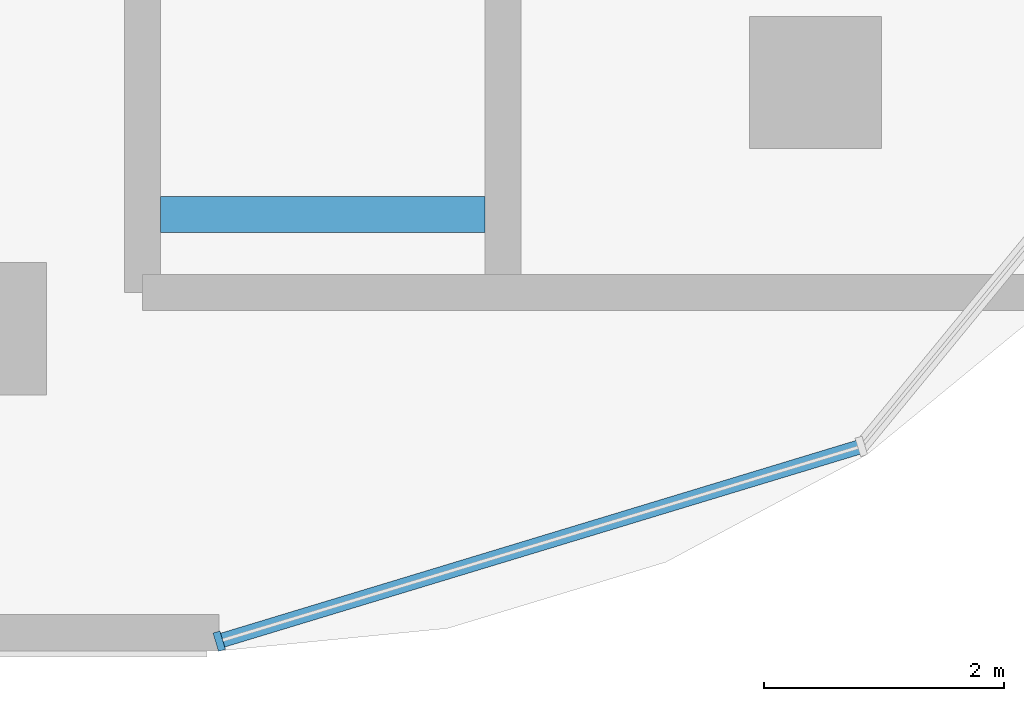
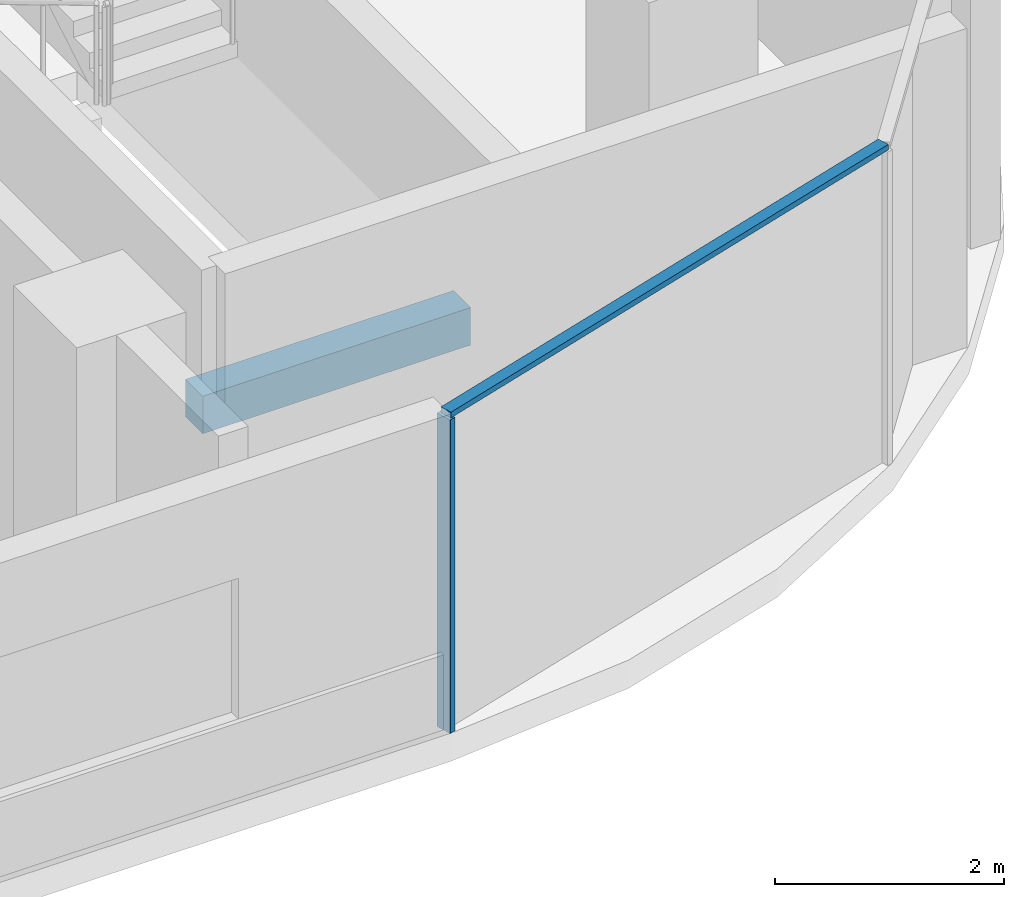
# One storey, part 3 of 23: 2 members, 1 beam, 1 element without a shape of its own.
"""IFC4 building model written with IfcOpenShell, lengths in metres."""

import ifcopenshell
import ifcopenshell.guid

model = None  # the IFC model being written
_history = None  # IfcOwnerHistory: only IFC2X3 demands one
_inside = {}  # id of a spatial element -> (the spatial element, [elements in it])
_under = {}  # id of a project, library or spatial element -> (it, [spatial elements below it])
_declared = {}  # id of a project -> (the project, [libraries it declares])
_typed = {}  # id of a type object -> (the type object, [elements of that type])
_made_of = {}  # id of a material, layer set ... -> (it, [elements and type objects made of it])


def new_model(schema):
    """Start an empty IFC model of exactly this schema.

    Asked for "IFC4X3", IfcOpenShell would pick the latest addendum, in which some entities
    have other attributes; the version numbers below select the first issue.
    IFC2X3 requires an IfcOwnerHistory on every rooted entity: one is made here for all.
    """
    global model, _history
    if schema == "IFC4X3":
        model = ifcopenshell.file(schema_version=(4, 3, 0, 0))
    else:
        model = ifcopenshell.file(schema=schema)
    _inside.clear()
    _under.clear()
    _declared.clear()
    _typed.clear()
    _made_of.clear()
    _history = None
    if model.schema == "IFC2X3":
        org = make("IfcOrganization", Name="unknown")
        user = make(
            "IfcPersonAndOrganization",
            ThePerson=make("IfcPerson", FamilyName="unknown"),
            TheOrganization=org,
        )
        app = make(
            "IfcApplication",
            ApplicationDeveloper=org,
            Version="unknown",
            ApplicationFullName="unknown",
            ApplicationIdentifier="unknown",
        )
        _history = make(
            "IfcOwnerHistory",
            OwningUser=user,
            OwningApplication=app,
            ChangeAction="ADDED",
            CreationDate=0,
        )
    return model


def make(cls, **values):
    """One entity of the class cls with the attributes given. An attribute that is None is left unset."""
    return model.create_entity(
        cls, **{name: value for name, value in values.items() if value is not None}
    )


def rooted(cls, **values):
    """An entity with a GlobalId (a new one), such as an element, a storey or a relation."""
    return make(cls, GlobalId=ifcopenshell.guid.new(), OwnerHistory=_history, **values)


def si_unit(unit_type, name, prefix=None):
    """IfcSIUnit, for example si_unit("LENGTHUNIT", "METRE", prefix="MILLI")."""
    return make("IfcSIUnit", UnitType=unit_type, Prefix=prefix, Name=name)


def assignment(units):
    """IfcUnitAssignment: the units of a project."""
    return None if units is None else make("IfcUnitAssignment", Units=units)


def point(xyz):
    """IfcCartesianPoint."""
    return None if xyz is None else make("IfcCartesianPoint", Coordinates=xyz)


def direction(xyz):
    """IfcDirection."""
    return None if xyz is None else make("IfcDirection", DirectionRatios=xyz)


def frame(location, z_axis=None, x_axis=None):
    """IfcAxis2Placement3D, a coordinate frame: its origin and axes. An axis left out is left unset."""
    return make(
        "IfcAxis2Placement3D",
        Location=point(location),
        Axis=direction(z_axis),
        RefDirection=direction(x_axis),
    )


def frame_2d(location, x_axis=None):
    """IfcAxis2Placement2D, a coordinate frame in the plane: its origin and x axis."""
    return make(
        "IfcAxis2Placement2D", Location=point(location), RefDirection=direction(x_axis)
    )


def origin():
    """The frame at (0, 0, 0) with its axes left unset."""
    return frame((0.0, 0.0, 0.0))


def origin_2d():
    """The frame at (0, 0) in the plane with its x axis left unset."""
    return frame_2d((0.0, 0.0))


def place(relative_to, where):
    """IfcLocalPlacement: puts the frame where relative to a parent placement (None: the world)."""
    return make(
        "IfcLocalPlacement", PlacementRelTo=relative_to, RelativePlacement=where
    )


def context(
    kind, dimensions, precision=None, world=None, true_north=None, identifier=None
):
    """IfcGeometricRepresentationContext, for example the 3D "Model" context."""
    return make(
        "IfcGeometricRepresentationContext",
        ContextIdentifier=identifier,
        ContextType=kind,
        CoordinateSpaceDimension=dimensions,
        Precision=precision,
        WorldCoordinateSystem=world,
        TrueNorth=true_north,
    )


def subcontext(parent, identifier, kind, view, scale=None):
    """IfcGeometricRepresentationSubContext, for example "Body" below "Model"."""
    return make(
        "IfcGeometricRepresentationSubContext",
        ContextIdentifier=identifier,
        ContextType=kind,
        ParentContext=parent,
        TargetScale=scale,
        TargetView=view,
    )


def project(units=None, contexts=None):
    """IfcProject with its units and contexts."""
    return rooted(
        "IfcProject",
        Name="project",
        RepresentationContexts=contexts,
        UnitsInContext=assignment(units),
    )


def spatial(cls, under=None, at=None, **own):
    """A site, building, storey or space (cls), placed at a placement, below another one or the project."""
    s = rooted(cls, ObjectPlacement=at, **own)
    if under is not None:
        _under.setdefault(under.id(), (under, []))[1].append(s)
    return s


def profile(cls, at=None, kind="AREA", **sizes):
    """A parametric profile (cls). Its sizes go by their IFC names, for example OverallWidth=200.0."""
    return make(cls, ProfileType=kind, Position=at, **sizes)


def rectangle(**sizes):
    """IfcRectangleProfileDef."""
    return profile("IfcRectangleProfileDef", **sizes)


def extrude(swept, where, along, depth):
    """IfcExtrudedAreaSolid: the profile swept, set in the frame where, extruded along a direction by depth."""
    return make(
        "IfcExtrudedAreaSolid",
        SweptArea=swept,
        Position=where,
        ExtrudedDirection=direction(along),
        Depth=depth,
    )


def shape(context_of_items, identifier, shape_type, items):
    """IfcShapeRepresentation: the items that make up one representation, for example the "Body"."""
    return make(
        "IfcShapeRepresentation",
        ContextOfItems=context_of_items,
        RepresentationIdentifier=identifier,
        RepresentationType=shape_type,
        Items=items,
    )


def material(Name=None, Category=None):
    """IfcMaterial."""
    return make("IfcMaterial", Name=Name, Category=Category)


def material_profile(
    of_material, cross_section, Name=None, Category=None, Priority=None
):
    """IfcMaterialProfile: a cross section and its material."""
    return make(
        "IfcMaterialProfile",
        Name=Name,
        Material=of_material,
        Profile=cross_section,
        Priority=Priority,
        Category=Category,
    )


def profile_set(profiles, Name=None, composite=None):
    """IfcMaterialProfileSet."""
    return make(
        "IfcMaterialProfileSet",
        Name=Name,
        MaterialProfiles=profiles,
        CompositeProfile=composite,
    )


def made_of(thing, what):
    """Note that an element or type object is made of a material, layer set ...; save() writes the relation."""
    if what is not None:
        _made_of.setdefault(what.id(), (what, []))[1].append(thing)
    return thing


def type_object(cls, material=None, **own):
    """A type object (cls), such as IfcWallType, which elements share."""
    return made_of(rooted(cls, **own), material)


def element(
    cls,
    number,
    at=None,
    inside=None,
    cuts=None,
    type_object=None,
    material=None,
    context=None,
    identifier="Body",
    shape_type=None,
    held_by="IfcProductDefinitionShape",
    body=None,
    shapes=None,
    **own,
):
    """One element of the class cls, such as IfcWall. Its Tag is "e" and its number.

    at: its placement. inside: the storey or other place that contains it. cuts: it is an
    opening in that element (IfcRelVoidsElement). A single representation is given by context,
    identifier, shape_type and body (its items); several are given by shapes. held_by: the class
    of the entity that holds the representations. save() writes the other relations.
    """
    e = rooted(cls, Tag="e%d" % number, ObjectPlacement=at, **own)
    if body is not None:
        shapes = [shape(context, identifier, shape_type, body)]
    if shapes is not None:
        e.Representation = make(held_by, Representations=shapes)
    if inside is not None:
        _inside.setdefault(inside.id(), (inside, []))[1].append(e)
    if cuts is not None:
        rooted(
            "IfcRelVoidsElement", RelatingBuildingElement=cuts, RelatedOpeningElement=e
        )
    if type_object is not None:
        _typed.setdefault(type_object.id(), (type_object, []))[1].append(e)
    return made_of(e, material)


def aggregate(whole, parts):
    """IfcRelAggregates: a whole, such as a stair, and the parts it consists of."""
    return rooted("IfcRelAggregates", RelatingObject=whole, RelatedObjects=parts)


def save(model, path):
    """Write the relations noted so far, then the file.

    IfcRelAggregates (storeys below a building ...), IfcRelContainedInSpatialStructure (elements
    in a storey), IfcRelDefinesByType, IfcRelAssociatesMaterial and IfcRelDeclares: one each for
    every whole, place, type object, material and project.
    """
    for whole, parts in _under.values():
        aggregate(whole, parts)
    for where, things in _inside.values():
        rooted(
            "IfcRelContainedInSpatialStructure",
            RelatedElements=things,
            RelatingStructure=where,
        )
    for kind, things in _typed.values():
        rooted("IfcRelDefinesByType", RelatedObjects=things, RelatingType=kind)
    for what, things in _made_of.values():
        rooted("IfcRelAssociatesMaterial", RelatedObjects=things, RelatingMaterial=what)
    for by, libraries in _declared.values():
        rooted("IfcRelDeclares", RelatingContext=by, RelatedDefinitions=libraries)
    model.write(path)


model = new_model("IFC4")

# Units and contexts
model_context = context("Model", 3, precision=1e-05, world=origin(), true_north=direction((0.0, 1.0)))
body_context = subcontext(model_context, "Body", "Model", "MODEL_VIEW")
ifc_project = project(units=[si_unit("LENGTHUNIT", "METRE"), si_unit("AREAUNIT", "SQUARE_METRE"), si_unit("VOLUMEUNIT", "CUBIC_METRE"), si_unit("PLANEANGLEUNIT", "RADIAN"), si_unit("MASSUNIT", "GRAM", prefix="KILO")], contexts=[model_context])

# Site, building, storey
site_placement = place(None, origin())
site = spatial("IfcSite", under=ifc_project, at=site_placement, CompositionType="ELEMENT")
building_placement = place(site_placement, origin())
building = spatial("IfcBuilding", under=site, at=building_placement, Name="Ogive Portal Towers", CompositionType="ELEMENT")
storey_placement = place(building_placement, frame((0.0, 0.0, 186.60009765625)))
storey = spatial("IfcBuildingStorey", under=building, at=storey_placement, Name="L46", CompositionType="ELEMENT", Elevation=186.60009765625)

# Beam
ifc_material_1 = material(Name="Concrete C40/50", Category="concrete")
ifc_material_profile_1 = material_profile(ifc_material_1, rectangle(XDim=0.300048828125, YDim=0.39990234375, at=origin_2d()), Name="RC 300x400")
ifc_profile_set_1 = profile_set([ifc_material_profile_1], Name="Concrete C40/50")
beam_type = type_object("IfcBeamType", Name="BEAM RC 300x400", PredefinedType="BEAM", material=ifc_profile_set_1)
beam_placement = place(storey_placement, frame((87.0, 22.449951171875, 1.449951171875), z_axis=(1.0, 0.0, 0.0), x_axis=(0.0, 1.0, 0.0)))
element("IfcBeam", 1, at=beam_placement, inside=storey, type_object=beam_type, Name="Landing beam L46", PredefinedType="BEAM", context=body_context, shape_type="SweptSolid", body=[
    extrude(rectangle(XDim=0.300048828125, YDim=0.39990234375, at=origin_2d()), origin(), (0.0, 0.0, 1.0), 2.699951171875),
])

# Curtain wall, members
ifc_material_2 = material(Name="Glass, clear low-iron insulated glazing", Category="glass")
curtain_wall_type = type_object("IfcCurtainWallType", Name="CW FRONT RIBBON 4500", PredefinedType="NOTDEFINED", material=ifc_material_2)
curtain_wall_placement = place(storey_placement, origin())
curtain_wall = element("IfcCurtainWall", 2, at=curtain_wall_placement, inside=storey, type_object=curtain_wall_type, Name="A:L46:f09:cwa", PredefinedType="NOTDEFINED")
ifc_material_3 = material(Name="Aluminium 6063 anodised", Category="aluminium")
ifc_material_profile_2 = material_profile(ifc_material_3, rectangle(XDim=0.159912109375, YDim=0.06005859375, at=origin_2d()), Name="AL 60x160")
ifc_profile_set_2 = profile_set([ifc_material_profile_2], Name="Aluminium 6063 anodised")
member_type_1 = type_object("IfcMemberType", Name="CW MULLION 60x160", PredefinedType="MULLION", material=ifc_profile_set_2)
member_1_placement = place(storey_placement, frame((87.488037109375, 18.89990234375, 0.0), z_axis=(0.0, 0.0, 1.0), x_axis=(-0.290284677254, 0.956940335732, 0.0)))
member_1 = element("IfcMember", 3, at=member_1_placement, type_object=member_type_1, Name="mullion", PredefinedType="MULLION", context=body_context, shape_type="SweptSolid", body=[
    extrude(rectangle(XDim=0.159912109375, YDim=0.06005859375, at=origin_2d()), origin(), (0.0, 0.0, 1.0), 3.33984375),
])
ifc_material_profile_3 = material_profile(ifc_material_3, rectangle(XDim=0.1201171875, YDim=0.06005859375, at=origin_2d()), Name="AL 120x60")
ifc_profile_set_3 = profile_set([ifc_material_profile_3], Name="Aluminium 6063 anodised")
member_type_2 = type_object("IfcMemberType", Name="CW TRANSOM 60x120", PredefinedType="USERDEFINED", material=ifc_profile_set_3)
member_2_placement = place(storey_placement, frame((87.488037109375, 18.89990234375, 3.369873046875), z_axis=(0.956932427214, 0.290310746868, 0.0), x_axis=(-0.290310746868, 0.956932427214, 0.0)))
member_2 = element("IfcMember", 4, at=member_2_placement, type_object=member_type_2, Name="transom", ObjectType="TRANSOM", PredefinedType="USERDEFINED", context=body_context, shape_type="SweptSolid", body=[
    extrude(rectangle(XDim=0.1201171875, YDim=0.06005859375, at=origin_2d()), origin(), (0.0, 0.0, 1.0), 5.583984375),
])
aggregate(curtain_wall, [member_2, member_1])

save(model, "model.ifc")
